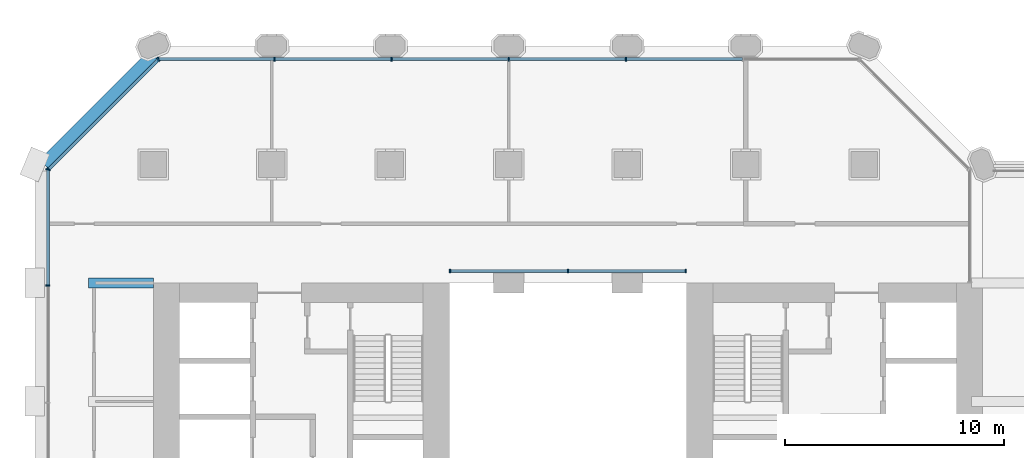
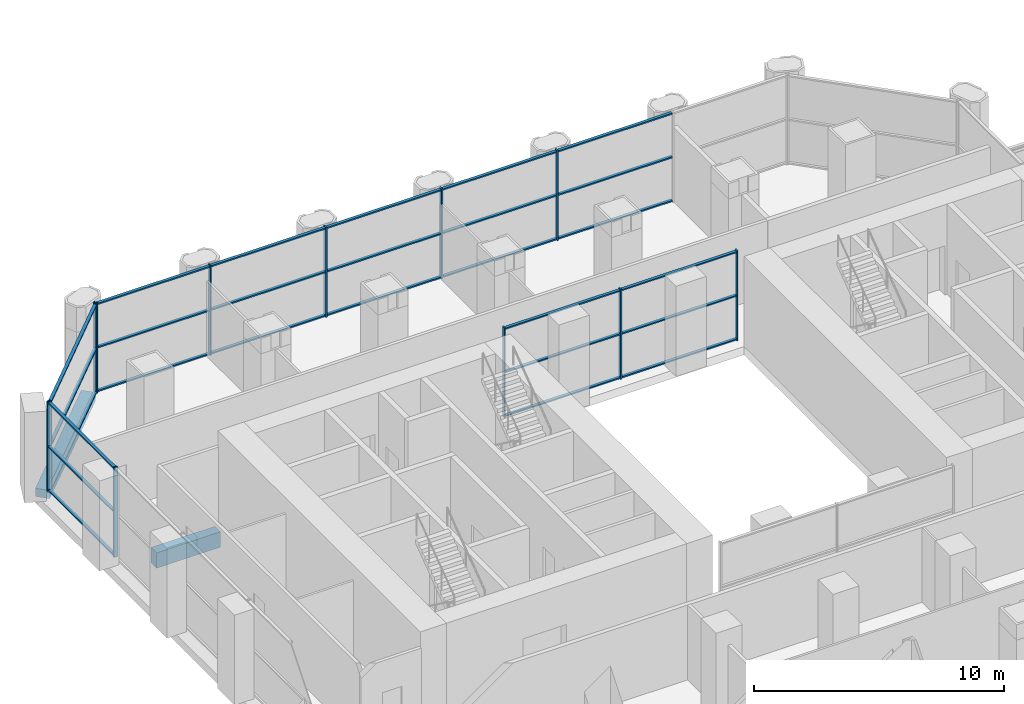
# One storey, part 8 of 42: 39 members, 2 beams, 4 elements without a shape of their own.
"""IFC4 building model written with IfcOpenShell, lengths in metres."""

from ifc_helpers import new_model, si_unit, direction, frame, origin, origin_2d, place, context, subcontext, project, spatial, rectangle, extrude, material, material_profile, profile_set, type_object, element, aggregate, save


model = new_model("IFC4")

# Units and contexts
model_context = context("Model", 3, precision=1e-05, world=origin(), true_north=direction((0.0, 1.0)))
body_context = subcontext(model_context, "Body", "Model", "MODEL_VIEW")
ifc_project = project(units=[si_unit("LENGTHUNIT", "METRE"), si_unit("AREAUNIT", "SQUARE_METRE"), si_unit("VOLUMEUNIT", "CUBIC_METRE"), si_unit("PLANEANGLEUNIT", "RADIAN"), si_unit("MASSUNIT", "GRAM", prefix="KILO")], contexts=[model_context])

# Site, building, storey
site_placement = place(None, origin())
site = spatial("IfcSite", under=ifc_project, at=site_placement, CompositionType="ELEMENT")
building_placement = place(site_placement, origin())
building = spatial("IfcBuilding", under=site, at=building_placement, Name="Tabaq Tower and Sports Hall", CompositionType="ELEMENT")
storey_placement = place(building_placement, frame((0.0, 0.0, 19.800048828125)))
storey = spatial("IfcBuildingStorey", under=building, at=storey_placement, Name="L03", CompositionType="ELEMENT", Elevation=19.800048828125)

# Curtain wall, members
ifc_material_1 = material(Name="Aluminium alloy 6063-T6 framed glazing", Category="aluminium")
curtain_wall_type_1 = type_object("IfcCurtainWallType", Name="CW1 curtain wall", PredefinedType="USERDEFINED", material=ifc_material_1)
curtain_wall_1_placement = place(storey_placement, origin())
curtain_wall_1 = element("IfcCurtainWall", 1, at=curtain_wall_1_placement, inside=storey, type_object=curtain_wall_type_1, Name="Atrium glazing L03 N", ObjectType="ATRIUM ENCLOSURE", PredefinedType="USERDEFINED")
ifc_material_2 = material(Name="Aluminium alloy 6063-T6", Category="aluminium")
ifc_material_profile_1 = material_profile(ifc_material_2, rectangle(XDim=0.159912109375, YDim=0.06005859375, at=origin_2d()), Name="MULLION 160x60")
ifc_profile_set_1 = profile_set([ifc_material_profile_1], Name="Aluminium alloy 6063-T6")
member_type_1 = type_object("IfcMemberType", Name="CW1 mullion 160x60", PredefinedType="MULLION", material=ifc_profile_set_1)
member_1_placement = place(storey_placement, frame((18.929931640625, 32.949951171875, 0.0), z_axis=(0.0, 0.0, 1.0), x_axis=(0.0, 1.0, 0.0)))
member_1 = element("IfcMember", 2, at=member_1_placement, type_object=member_type_1, Name="CW1 mullion 1", PredefinedType="MULLION", context=body_context, shape_type="SweptSolid", body=[
    extrude(rectangle(XDim=0.159912109375, YDim=0.06005859375, at=origin_2d()), origin(), (0.0, 0.0, 1.0), 4.39990234375),
])
member_2_placement = place(storey_placement, frame((24.300048828125, 32.949951171875, 0.0), z_axis=(0.0, 0.0, 1.0), x_axis=(0.0, 1.0, 0.0)))
member_2 = element("IfcMember", 3, at=member_2_placement, type_object=member_type_1, Name="CW1 mullion 2", PredefinedType="MULLION", context=body_context, shape_type="SweptSolid", body=[
    extrude(rectangle(XDim=0.159912109375, YDim=0.06005859375, at=origin_2d()), origin(), (0.0, 0.0, 1.0), 4.39990234375),
])
member_3_placement = place(storey_placement, frame((29.669921875, 32.949951171875, 0.0), z_axis=(0.0, 0.0, 1.0), x_axis=(0.0, 1.0, 0.0)))
member_3 = element("IfcMember", 4, at=member_3_placement, type_object=member_type_1, Name="CW1 mullion 3", PredefinedType="MULLION", context=body_context, shape_type="SweptSolid", body=[
    extrude(rectangle(XDim=0.159912109375, YDim=0.06005859375, at=origin_2d()), origin(), (0.0, 0.0, 1.0), 4.39990234375),
])
ifc_material_3 = material(Name="Aluminium alloy 6063-T6", Category="aluminium")
ifc_material_profile_2 = material_profile(ifc_material_3, rectangle(XDim=0.139892578125, YDim=0.06005859375, at=origin_2d()), Name="TRANSOM 140x60")
ifc_profile_set_2 = profile_set([ifc_material_profile_2], Name="Aluminium alloy 6063-T6")
member_type_2 = type_object("IfcMemberType", Name="CW1 transom 140x60", PredefinedType="USERDEFINED", material=ifc_profile_set_2)
member_4_placement = place(storey_placement, frame((18.9599609375, 32.949951171875, 0.070068359375), z_axis=(1.0, 0.0, 0.0), x_axis=(0.0, 1.0, 0.0)))
member_4 = element("IfcMember", 5, at=member_4_placement, type_object=member_type_2, Name="CW1 transom 1.1", ObjectType="TRANSOM", PredefinedType="USERDEFINED", context=body_context, shape_type="SweptSolid", body=[
    extrude(rectangle(XDim=0.139892578125, YDim=0.06005859375, at=origin_2d()), origin(), (0.0, 0.0, 1.0), 5.31005859375),
])
member_5_placement = place(storey_placement, frame((18.9599609375, 32.949951171875, 2.199951171875), z_axis=(1.0, 0.0, 0.0), x_axis=(0.0, 1.0, 0.0)))
member_5 = element("IfcMember", 6, at=member_5_placement, type_object=member_type_2, Name="CW1 transom 1.2", ObjectType="TRANSOM", PredefinedType="USERDEFINED", context=body_context, shape_type="SweptSolid", body=[
    extrude(rectangle(XDim=0.139892578125, YDim=0.06005859375, at=origin_2d()), origin(), (0.0, 0.0, 1.0), 5.31005859375),
])
member_6_placement = place(storey_placement, frame((18.9599609375, 32.949951171875, 4.329833984375), z_axis=(1.0, 0.0, 0.0), x_axis=(0.0, 1.0, 0.0)))
member_6 = element("IfcMember", 7, at=member_6_placement, type_object=member_type_2, Name="CW1 transom 1.3", ObjectType="TRANSOM", PredefinedType="USERDEFINED", context=body_context, shape_type="SweptSolid", body=[
    extrude(rectangle(XDim=0.139892578125, YDim=0.06005859375, at=origin_2d()), origin(), (0.0, 0.0, 1.0), 5.31005859375),
])
member_7_placement = place(storey_placement, frame((24.330078125, 32.949951171875, 0.070068359375), z_axis=(1.0, 0.0, 0.0), x_axis=(0.0, 1.0, 0.0)))
member_7 = element("IfcMember", 8, at=member_7_placement, type_object=member_type_2, Name="CW1 transom 2.1", ObjectType="TRANSOM", PredefinedType="USERDEFINED", context=body_context, shape_type="SweptSolid", body=[
    extrude(rectangle(XDim=0.139892578125, YDim=0.06005859375, at=origin_2d()), origin(), (0.0, 0.0, 1.0), 5.309814453125),
])
member_8_placement = place(storey_placement, frame((24.330078125, 32.949951171875, 2.199951171875), z_axis=(1.0, 0.0, 0.0), x_axis=(0.0, 1.0, 0.0)))
member_8 = element("IfcMember", 9, at=member_8_placement, type_object=member_type_2, Name="CW1 transom 2.2", ObjectType="TRANSOM", PredefinedType="USERDEFINED", context=body_context, shape_type="SweptSolid", body=[
    extrude(rectangle(XDim=0.139892578125, YDim=0.06005859375, at=origin_2d()), origin(), (0.0, 0.0, 1.0), 5.309814453125),
])
member_9_placement = place(storey_placement, frame((24.330078125, 32.949951171875, 4.329833984375), z_axis=(1.0, 0.0, 0.0), x_axis=(0.0, 1.0, 0.0)))
member_9 = element("IfcMember", 10, at=member_9_placement, type_object=member_type_2, Name="CW1 transom 2.3", ObjectType="TRANSOM", PredefinedType="USERDEFINED", context=body_context, shape_type="SweptSolid", body=[
    extrude(rectangle(XDim=0.139892578125, YDim=0.06005859375, at=origin_2d()), origin(), (0.0, 0.0, 1.0), 5.309814453125),
])
aggregate(curtain_wall_1, [member_1, member_2, member_3, member_4, member_5, member_6, member_7, member_8, member_9])

ifc_material_4 = material(Name="Aluminium alloy 6063-T6 framed glazing", Category="aluminium")
curtain_wall_type_2 = type_object("IfcCurtainWallType", Name="CW7 curtain wall", PredefinedType="USERDEFINED", material=ifc_material_4)
curtain_wall_2_placement = place(storey_placement, origin())
curtain_wall_2 = element("IfcCurtainWall", 11, at=curtain_wall_2_placement, inside=storey, type_object=curtain_wall_type_2, Name="Podium Wall L03 N", ObjectType="PODIUM WALL", PredefinedType="USERDEFINED")
ifc_material_5 = material(Name="Aluminium alloy 6063-T6", Category="aluminium")
ifc_material_profile_3 = material_profile(ifc_material_5, rectangle(XDim=0.179931640625, YDim=0.06494140625, at=origin_2d()), Name="MULLION 180x65")
ifc_profile_set_3 = profile_set([ifc_material_profile_3], Name="Aluminium alloy 6063-T6")
member_type_3 = type_object("IfcMemberType", Name="CW7 mullion 180x65", PredefinedType="MULLION", material=ifc_profile_set_3)
member_10_placement = place(storey_placement, frame((26.93798828125, 42.60009765625, 0.0), z_axis=(0.0, 0.0, 1.0), x_axis=(0.0, -1.0, 0.0)))
member_10 = element("IfcMember", 12, at=member_10_placement, type_object=member_type_3, Name="CW7 mullion 3", PredefinedType="MULLION", context=body_context, shape_type="SweptSolid", body=[
    extrude(rectangle(XDim=0.179931640625, YDim=0.06494140625, at=origin_2d()), origin(), (0.0, 0.0, 1.0), 4.39990234375),
])
member_11_placement = place(storey_placement, frame((21.60009765625, 42.60009765625, 0.0), z_axis=(0.0, 0.0, 1.0), x_axis=(0.0, -1.0, 0.0)))
member_11 = element("IfcMember", 13, at=member_11_placement, type_object=member_type_3, Name="CW7 mullion 4", PredefinedType="MULLION", context=body_context, shape_type="SweptSolid", body=[
    extrude(rectangle(XDim=0.179931640625, YDim=0.06494140625, at=origin_2d()), origin(), (0.0, 0.0, 1.0), 4.39990234375),
])
member_12_placement = place(storey_placement, frame((16.26220703125, 42.60009765625, 0.0), z_axis=(0.0, 0.0, 1.0), x_axis=(0.0, -1.0, 0.0)))
member_12 = element("IfcMember", 14, at=member_12_placement, type_object=member_type_3, Name="CW7 mullion 5", PredefinedType="MULLION", context=body_context, shape_type="SweptSolid", body=[
    extrude(rectangle(XDim=0.179931640625, YDim=0.06494140625, at=origin_2d()), origin(), (0.0, 0.0, 1.0), 4.39990234375),
])
member_13_placement = place(storey_placement, frame((10.92431640625, 42.60009765625, 0.0), z_axis=(0.0, 0.0, 1.0), x_axis=(0.0, -1.0, 0.0)))
member_13 = element("IfcMember", 15, at=member_13_placement, type_object=member_type_3, Name="CW7 mullion 6", PredefinedType="MULLION", context=body_context, shape_type="SweptSolid", body=[
    extrude(rectangle(XDim=0.179931640625, YDim=0.06494140625, at=origin_2d()), origin(), (0.0, 0.0, 1.0), 4.39990234375),
])
member_14_placement = place(storey_placement, frame((5.618896484375, 42.60009765625, 0.0), z_axis=(0.0, 0.0, 1.0), x_axis=(0.0, -1.0, 0.0)))
member_14 = element("IfcMember", 16, at=member_14_placement, type_object=member_type_3, Name="CW7 mullion 7", PredefinedType="MULLION", context=body_context, shape_type="SweptSolid", body=[
    extrude(rectangle(XDim=0.179931640625, YDim=0.06494140625, at=origin_2d()), origin(), (0.0, 0.0, 1.0), 4.39990234375),
])

curtain_wall_3_placement = place(storey_placement, origin())
curtain_wall_3 = element("IfcCurtainWall", 17, at=curtain_wall_3_placement, inside=storey, type_object=curtain_wall_type_2, Name="Podium Wall L03 NW", ObjectType="PODIUM WALL", PredefinedType="USERDEFINED")
member_15_placement = place(storey_placement, frame((5.62548828125, 42.576904296875, 0.0), z_axis=(0.0, 0.0, 1.0), x_axis=(0.707106781187, -0.707106781187, 0.0)))
member_15 = element("IfcMember", 18, at=member_15_placement, type_object=member_type_3, Name="CW7 mullion 1", PredefinedType="MULLION", context=body_context, shape_type="SweptSolid", body=[
    extrude(rectangle(XDim=0.179931640625, YDim=0.06494140625, at=origin_2d()), origin(), (0.0, 0.0, 1.0), 4.39990234375),
])
member_16_placement = place(storey_placement, frame((0.623046875, 37.574462890625, 0.0), z_axis=(0.0, 0.0, 1.0), x_axis=(0.707106781187, -0.707106781187, 0.0)))
member_16 = element("IfcMember", 19, at=member_16_placement, type_object=member_type_3, Name="CW7 mullion 2", PredefinedType="MULLION", context=body_context, shape_type="SweptSolid", body=[
    extrude(rectangle(XDim=0.179931640625, YDim=0.06494140625, at=origin_2d()), origin(), (0.0, 0.0, 1.0), 4.39990234375),
])

curtain_wall_4_placement = place(storey_placement, origin())
curtain_wall_4 = element("IfcCurtainWall", 20, at=curtain_wall_4_placement, inside=storey, type_object=curtain_wall_type_2, Name="Podium Wall L03 W", ObjectType="PODIUM WALL", PredefinedType="USERDEFINED")
member_17_placement = place(storey_placement, frame((0.60009765625, 37.5810546875, 0.0), z_axis=(0.0, 0.0, 1.0), x_axis=(1.0, 0.0, 0.0)))
member_17 = element("IfcMember", 21, at=member_17_placement, type_object=member_type_3, Name="CW7 mullion 1", PredefinedType="MULLION", context=body_context, shape_type="SweptSolid", body=[
    extrude(rectangle(XDim=0.179931640625, YDim=0.06494140625, at=origin_2d()), origin(), (0.0, 0.0, 1.0), 4.39990234375),
])
member_18_placement = place(storey_placement, frame((0.60009765625, 32.275634765625, 0.0), z_axis=(0.0, 0.0, 1.0), x_axis=(1.0, 0.0, 0.0)))
member_18 = element("IfcMember", 22, at=member_18_placement, type_object=member_type_3, Name="CW7 mullion 2", PredefinedType="MULLION", context=body_context, shape_type="SweptSolid", body=[
    extrude(rectangle(XDim=0.179931640625, YDim=0.06494140625, at=origin_2d()), origin(), (0.0, 0.0, 1.0), 4.39990234375),
])

# Member
ifc_material_6 = material(Name="Aluminium alloy 6063-T6", Category="aluminium")
ifc_material_profile_4 = material_profile(ifc_material_6, rectangle(XDim=0.139892578125, YDim=0.06494140625, at=origin_2d()), Name="TRANSOM 140x65")
ifc_profile_set_4 = profile_set([ifc_material_profile_4], Name="Aluminium alloy 6063-T6")
member_type_4 = type_object("IfcMemberType", Name="CW7 transom 140x65", PredefinedType="USERDEFINED", material=ifc_profile_set_4)
member_19_placement = place(storey_placement, frame((32.2431640625, 42.60009765625, 0.070068359375), z_axis=(-1.0, 0.0, 0.0), x_axis=(0.0, -1.0, 0.0)))
member_19 = element("IfcMember", 23, at=member_19_placement, type_object=member_type_4, Name="CW7 transom 2.1", ObjectType="TRANSOM", PredefinedType="USERDEFINED", context=body_context, shape_type="SweptSolid", body=[
    extrude(rectangle(XDim=0.139892578125, YDim=0.06494140625, at=origin_2d()), origin(), (0.0, 0.0, 1.0), 5.272705078125),
])

member_20_placement = place(storey_placement, frame((32.2431640625, 42.60009765625, 2.199951171875), z_axis=(-1.0, 0.0, 0.0), x_axis=(0.0, -1.0, 0.0)))
member_20 = element("IfcMember", 24, at=member_20_placement, type_object=member_type_4, Name="CW7 transom 2.2", ObjectType="TRANSOM", PredefinedType="USERDEFINED", context=body_context, shape_type="SweptSolid", body=[
    extrude(rectangle(XDim=0.139892578125, YDim=0.06494140625, at=origin_2d()), origin(), (0.0, 0.0, 1.0), 5.272705078125),
])

member_21_placement = place(storey_placement, frame((32.2431640625, 42.60009765625, 4.329833984375), z_axis=(-1.0, 0.0, 0.0), x_axis=(0.0, -1.0, 0.0)))
member_21 = element("IfcMember", 25, at=member_21_placement, type_object=member_type_4, Name="CW7 transom 2.3", ObjectType="TRANSOM", PredefinedType="USERDEFINED", context=body_context, shape_type="SweptSolid", body=[
    extrude(rectangle(XDim=0.139892578125, YDim=0.06494140625, at=origin_2d()), origin(), (0.0, 0.0, 1.0), 5.272705078125),
])

member_22_placement = place(storey_placement, frame((26.9052734375, 42.60009765625, 0.070068359375), z_axis=(-1.0, 0.0, 0.0), x_axis=(0.0, -1.0, 0.0)))
member_22 = element("IfcMember", 26, at=member_22_placement, type_object=member_type_4, Name="CW7 transom 3.1", ObjectType="TRANSOM", PredefinedType="USERDEFINED", context=body_context, shape_type="SweptSolid", body=[
    extrude(rectangle(XDim=0.139892578125, YDim=0.06494140625, at=origin_2d()), origin(), (0.0, 0.0, 1.0), 5.272705078125),
])

member_23_placement = place(storey_placement, frame((26.9052734375, 42.60009765625, 2.199951171875), z_axis=(-1.0, 0.0, 0.0), x_axis=(0.0, -1.0, 0.0)))
member_23 = element("IfcMember", 27, at=member_23_placement, type_object=member_type_4, Name="CW7 transom 3.2", ObjectType="TRANSOM", PredefinedType="USERDEFINED", context=body_context, shape_type="SweptSolid", body=[
    extrude(rectangle(XDim=0.139892578125, YDim=0.06494140625, at=origin_2d()), origin(), (0.0, 0.0, 1.0), 5.272705078125),
])

member_24_placement = place(storey_placement, frame((26.9052734375, 42.60009765625, 4.329833984375), z_axis=(-1.0, 0.0, 0.0), x_axis=(0.0, -1.0, 0.0)))
member_24 = element("IfcMember", 28, at=member_24_placement, type_object=member_type_4, Name="CW7 transom 3.3", ObjectType="TRANSOM", PredefinedType="USERDEFINED", context=body_context, shape_type="SweptSolid", body=[
    extrude(rectangle(XDim=0.139892578125, YDim=0.06494140625, at=origin_2d()), origin(), (0.0, 0.0, 1.0), 5.272705078125),
])

member_25_placement = place(storey_placement, frame((21.5673828125, 42.60009765625, 0.070068359375), z_axis=(-1.0, 0.0, 0.0), x_axis=(0.0, -1.0, 0.0)))
member_25 = element("IfcMember", 29, at=member_25_placement, type_object=member_type_4, Name="CW7 transom 4.1", ObjectType="TRANSOM", PredefinedType="USERDEFINED", context=body_context, shape_type="SweptSolid", body=[
    extrude(rectangle(XDim=0.139892578125, YDim=0.06494140625, at=origin_2d()), origin(), (0.0, 0.0, 1.0), 5.272705078125),
])

member_26_placement = place(storey_placement, frame((21.5673828125, 42.60009765625, 2.199951171875), z_axis=(-1.0, 0.0, 0.0), x_axis=(0.0, -1.0, 0.0)))
member_26 = element("IfcMember", 30, at=member_26_placement, type_object=member_type_4, Name="CW7 transom 4.2", ObjectType="TRANSOM", PredefinedType="USERDEFINED", context=body_context, shape_type="SweptSolid", body=[
    extrude(rectangle(XDim=0.139892578125, YDim=0.06494140625, at=origin_2d()), origin(), (0.0, 0.0, 1.0), 5.272705078125),
])

member_27_placement = place(storey_placement, frame((21.5673828125, 42.60009765625, 4.329833984375), z_axis=(-1.0, 0.0, 0.0), x_axis=(0.0, -1.0, 0.0)))
member_27 = element("IfcMember", 31, at=member_27_placement, type_object=member_type_4, Name="CW7 transom 4.3", ObjectType="TRANSOM", PredefinedType="USERDEFINED", context=body_context, shape_type="SweptSolid", body=[
    extrude(rectangle(XDim=0.139892578125, YDim=0.06494140625, at=origin_2d()), origin(), (0.0, 0.0, 1.0), 5.272705078125),
])

member_28_placement = place(storey_placement, frame((16.229736328125, 42.60009765625, 0.070068359375), z_axis=(-1.0, 0.0, 0.0), x_axis=(0.0, -1.0, 0.0)))
member_28 = element("IfcMember", 32, at=member_28_placement, type_object=member_type_4, Name="CW7 transom 5.1", ObjectType="TRANSOM", PredefinedType="USERDEFINED", context=body_context, shape_type="SweptSolid", body=[
    extrude(rectangle(XDim=0.139892578125, YDim=0.06494140625, at=origin_2d()), origin(), (0.0, 0.0, 1.0), 5.27294921875),
])

member_29_placement = place(storey_placement, frame((16.229736328125, 42.60009765625, 2.199951171875), z_axis=(-1.0, 0.0, 0.0), x_axis=(0.0, -1.0, 0.0)))
member_29 = element("IfcMember", 33, at=member_29_placement, type_object=member_type_4, Name="CW7 transom 5.2", ObjectType="TRANSOM", PredefinedType="USERDEFINED", context=body_context, shape_type="SweptSolid", body=[
    extrude(rectangle(XDim=0.139892578125, YDim=0.06494140625, at=origin_2d()), origin(), (0.0, 0.0, 1.0), 5.27294921875),
])

member_30_placement = place(storey_placement, frame((16.229736328125, 42.60009765625, 4.329833984375), z_axis=(-1.0, 0.0, 0.0), x_axis=(0.0, -1.0, 0.0)))
member_30 = element("IfcMember", 34, at=member_30_placement, type_object=member_type_4, Name="CW7 transom 5.3", ObjectType="TRANSOM", PredefinedType="USERDEFINED", context=body_context, shape_type="SweptSolid", body=[
    extrude(rectangle(XDim=0.139892578125, YDim=0.06494140625, at=origin_2d()), origin(), (0.0, 0.0, 1.0), 5.27294921875),
])

member_31_placement = place(storey_placement, frame((10.891845703125, 42.60009765625, 0.070068359375), z_axis=(-1.0, 0.0, 0.0), x_axis=(0.0, -1.0, 0.0)))
member_31 = element("IfcMember", 35, at=member_31_placement, type_object=member_type_4, Name="CW7 transom 6.1", ObjectType="TRANSOM", PredefinedType="USERDEFINED", context=body_context, shape_type="SweptSolid", body=[
    extrude(rectangle(XDim=0.139892578125, YDim=0.06494140625, at=origin_2d()), origin(), (0.0, 0.0, 1.0), 5.240478515625),
])

member_32_placement = place(storey_placement, frame((10.891845703125, 42.60009765625, 2.199951171875), z_axis=(-1.0, 0.0, 0.0), x_axis=(0.0, -1.0, 0.0)))
member_32 = element("IfcMember", 36, at=member_32_placement, type_object=member_type_4, Name="CW7 transom 6.2", ObjectType="TRANSOM", PredefinedType="USERDEFINED", context=body_context, shape_type="SweptSolid", body=[
    extrude(rectangle(XDim=0.139892578125, YDim=0.06494140625, at=origin_2d()), origin(), (0.0, 0.0, 1.0), 5.240478515625),
])

member_33_placement = place(storey_placement, frame((10.891845703125, 42.60009765625, 4.329833984375), z_axis=(-1.0, 0.0, 0.0), x_axis=(0.0, -1.0, 0.0)))
member_33 = element("IfcMember", 37, at=member_33_placement, type_object=member_type_4, Name="CW7 transom 6.3", ObjectType="TRANSOM", PredefinedType="USERDEFINED", context=body_context, shape_type="SweptSolid", body=[
    extrude(rectangle(XDim=0.139892578125, YDim=0.06494140625, at=origin_2d()), origin(), (0.0, 0.0, 1.0), 5.240478515625),
])

aggregate(curtain_wall_2, [member_10, member_11, member_12, member_13, member_14, member_19, member_20, member_21, member_22, member_23, member_24, member_25, member_26, member_27, member_28, member_29, member_30, member_31, member_32, member_33])

member_34_placement = place(storey_placement, frame((5.6025390625, 42.553955078125, 0.070068359375), z_axis=(-0.707106781187, -0.707106781187, 0.0), x_axis=(0.707106781187, -0.707106781187, 0.0)))
member_34 = element("IfcMember", 38, at=member_34_placement, type_object=member_type_4, Name="CW7 transom 1.1", ObjectType="TRANSOM", PredefinedType="USERDEFINED", context=body_context, shape_type="SweptSolid", body=[
    extrude(rectangle(XDim=0.139892578125, YDim=0.06494140625, at=origin_2d()), origin(), (0.0, 0.0, 1.0), 7.009521484375),
])

member_35_placement = place(storey_placement, frame((5.6025390625, 42.553955078125, 2.199951171875), z_axis=(-0.707106781187, -0.707106781187, 0.0), x_axis=(0.707106781187, -0.707106781187, 0.0)))
member_35 = element("IfcMember", 39, at=member_35_placement, type_object=member_type_4, Name="CW7 transom 1.2", ObjectType="TRANSOM", PredefinedType="USERDEFINED", context=body_context, shape_type="SweptSolid", body=[
    extrude(rectangle(XDim=0.139892578125, YDim=0.06494140625, at=origin_2d()), origin(), (0.0, 0.0, 1.0), 7.009521484375),
])

member_36_placement = place(storey_placement, frame((5.6025390625, 42.553955078125, 4.329833984375), z_axis=(-0.707106781187, -0.707106781187, 0.0), x_axis=(0.707106781187, -0.707106781187, 0.0)))
member_36 = element("IfcMember", 40, at=member_36_placement, type_object=member_type_4, Name="CW7 transom 1.3", ObjectType="TRANSOM", PredefinedType="USERDEFINED", context=body_context, shape_type="SweptSolid", body=[
    extrude(rectangle(XDim=0.139892578125, YDim=0.06494140625, at=origin_2d()), origin(), (0.0, 0.0, 1.0), 7.009521484375),
])

aggregate(curtain_wall_3, [member_15, member_16, member_34, member_35, member_36])

member_37_placement = place(storey_placement, frame((0.60009765625, 37.548583984375, 0.070068359375), z_axis=(0.0, -1.0, 0.0), x_axis=(1.0, 0.0, 0.0)))
member_37 = element("IfcMember", 41, at=member_37_placement, type_object=member_type_4, Name="CW7 transom 1.1", ObjectType="TRANSOM", PredefinedType="USERDEFINED", context=body_context, shape_type="SweptSolid", body=[
    extrude(rectangle(XDim=0.139892578125, YDim=0.06494140625, at=origin_2d()), origin(), (0.0, 0.0, 1.0), 5.240234375),
])

member_38_placement = place(storey_placement, frame((0.60009765625, 37.548583984375, 2.199951171875), z_axis=(0.0, -1.0, 0.0), x_axis=(1.0, 0.0, 0.0)))
member_38 = element("IfcMember", 42, at=member_38_placement, type_object=member_type_4, Name="CW7 transom 1.2", ObjectType="TRANSOM", PredefinedType="USERDEFINED", context=body_context, shape_type="SweptSolid", body=[
    extrude(rectangle(XDim=0.139892578125, YDim=0.06494140625, at=origin_2d()), origin(), (0.0, 0.0, 1.0), 5.240234375),
])

member_39_placement = place(storey_placement, frame((0.60009765625, 37.548583984375, 4.329833984375), z_axis=(0.0, -1.0, 0.0), x_axis=(1.0, 0.0, 0.0)))
member_39 = element("IfcMember", 43, at=member_39_placement, type_object=member_type_4, Name="CW7 transom 1.3", ObjectType="TRANSOM", PredefinedType="USERDEFINED", context=body_context, shape_type="SweptSolid", body=[
    extrude(rectangle(XDim=0.139892578125, YDim=0.06494140625, at=origin_2d()), origin(), (0.0, 0.0, 1.0), 5.240234375),
])

aggregate(curtain_wall_4, [member_17, member_18, member_37, member_38, member_39])

# Beams
ifc_material_7 = material(Name="Concrete C40/50", Category="concrete")
ifc_material_profile_5 = material_profile(ifc_material_7, rectangle(XDim=0.449951171875, YDim=0.75, at=origin_2d()), Name="CB 450x750")
ifc_profile_set_5 = profile_set([ifc_material_profile_5], Name="Concrete C40/50")
beam_type_1 = type_object("IfcBeamType", Name="PT CANTILEVER BEAM CB 450x750 C40/50", PredefinedType="BEAM", material=ifc_profile_set_5)
beam_1_placement = place(storey_placement, frame((2.449951171875, 32.39990234375, -0.775146484375), z_axis=(1.0, 0.0, 0.0), x_axis=(0.0, 1.0, 0.0)))
element("IfcBeam", 44, at=beam_1_placement, inside=storey, type_object=beam_type_1, Name="Cantilever Beam L03 W6 span 1", PredefinedType="BEAM", context=body_context, shape_type="SweptSolid", body=[
    extrude(rectangle(XDim=0.449951171875, YDim=0.75, at=origin_2d()), origin(), (0.0, 0.0, 1.0), 2.949951171875),
])
ifc_material_8 = material(Name="Concrete C40/50", Category="concrete")
ifc_material_profile_6 = material_profile(ifc_material_8, rectangle(XDim=0.60009765625, YDim=0.39990234375, at=origin_2d()), Name="EB 600x400")
ifc_profile_set_6 = profile_set([ifc_material_profile_6], Name="Concrete C40/50")
beam_type_2 = type_object("IfcBeamType", Name="PT EDGE BEAM EB 600x400 C40/50", PredefinedType="SPANDREL", material=ifc_profile_set_6)
beam_2_placement = place(storey_placement, frame((5.435302734375, 42.81103515625, -0.199951171875), z_axis=(-0.707106781187, -0.707106781187, 0.0), x_axis=(0.707106781187, -0.707106781187, 0.0)))
element("IfcBeam", 45, at=beam_2_placement, inside=storey, type_object=beam_type_2, Name="Edge Beam L03 3", PredefinedType="SPANDREL", context=body_context, shape_type="SweptSolid", body=[
    extrude(rectangle(XDim=0.60009765625, YDim=0.39990234375, at=origin_2d()), origin(), (0.0, 0.0, 1.0), 7.087890625),
])

save(model, "model.ifc")
